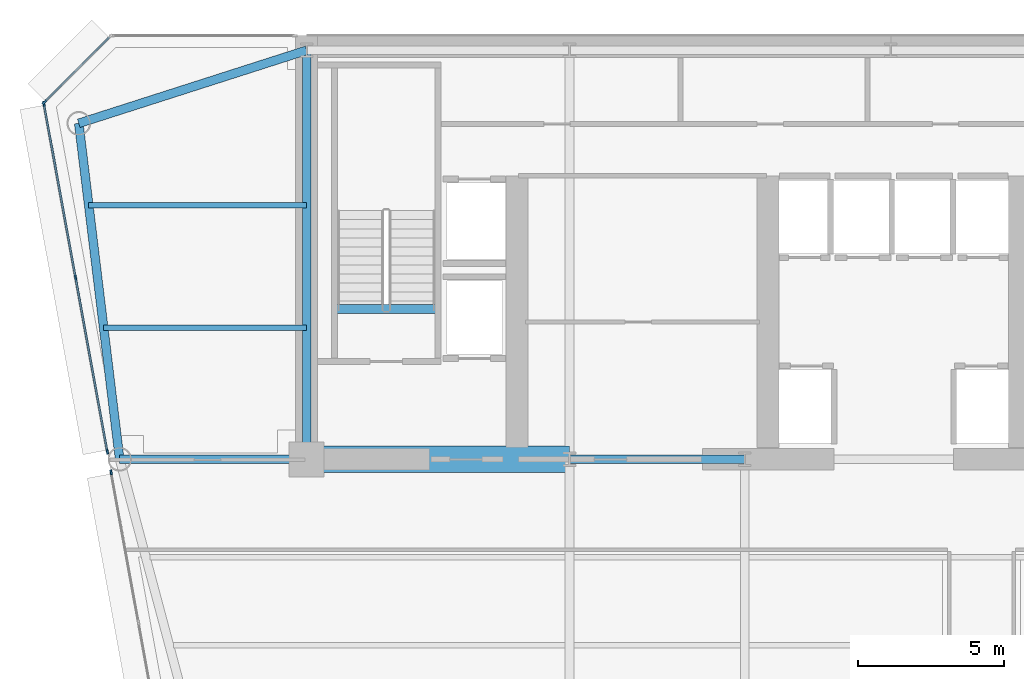
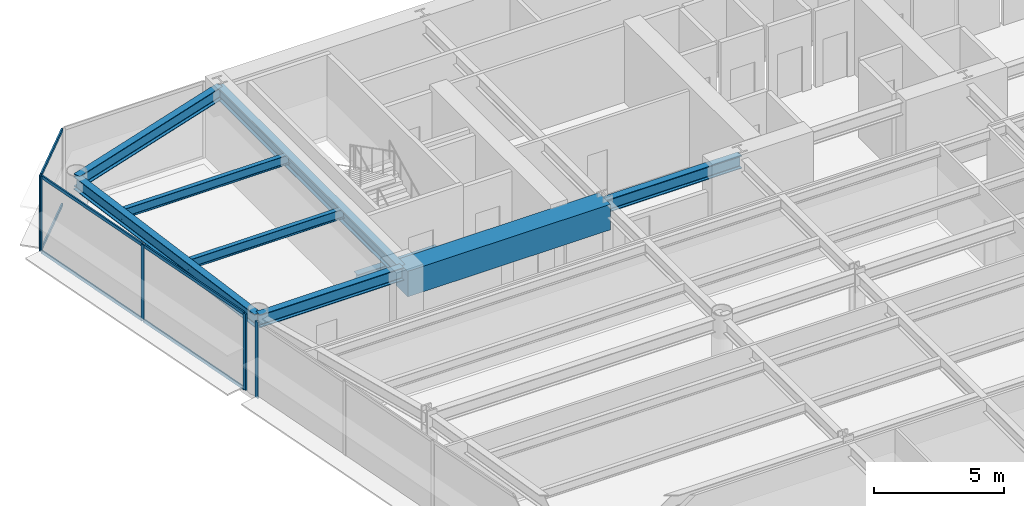
# One storey, part 7 of 17: 11 members, 9 beams, 3 elements without a shape of their own.
"""IFC4 building model written with IfcOpenShell, lengths in metres."""

import ifcopenshell
import ifcopenshell.guid

model = None  # the IFC model being written
_history = None  # IfcOwnerHistory: only IFC2X3 demands one
_inside = {}  # id of a spatial element -> (the spatial element, [elements in it])
_under = {}  # id of a project, library or spatial element -> (it, [spatial elements below it])
_declared = {}  # id of a project -> (the project, [libraries it declares])
_typed = {}  # id of a type object -> (the type object, [elements of that type])
_made_of = {}  # id of a material, layer set ... -> (it, [elements and type objects made of it])


def new_model(schema):
    """Start an empty IFC model of exactly this schema.

    Asked for "IFC4X3", IfcOpenShell would pick the latest addendum, in which some entities
    have other attributes; the version numbers below select the first issue.
    IFC2X3 requires an IfcOwnerHistory on every rooted entity: one is made here for all.
    """
    global model, _history
    if schema == "IFC4X3":
        model = ifcopenshell.file(schema_version=(4, 3, 0, 0))
    else:
        model = ifcopenshell.file(schema=schema)
    _inside.clear()
    _under.clear()
    _declared.clear()
    _typed.clear()
    _made_of.clear()
    _history = None
    if model.schema == "IFC2X3":
        org = make("IfcOrganization", Name="unknown")
        user = make(
            "IfcPersonAndOrganization",
            ThePerson=make("IfcPerson", FamilyName="unknown"),
            TheOrganization=org,
        )
        app = make(
            "IfcApplication",
            ApplicationDeveloper=org,
            Version="unknown",
            ApplicationFullName="unknown",
            ApplicationIdentifier="unknown",
        )
        _history = make(
            "IfcOwnerHistory",
            OwningUser=user,
            OwningApplication=app,
            ChangeAction="ADDED",
            CreationDate=0,
        )
    return model


def make(cls, **values):
    """One entity of the class cls with the attributes given. An attribute that is None is left unset."""
    return model.create_entity(
        cls, **{name: value for name, value in values.items() if value is not None}
    )


def rooted(cls, **values):
    """An entity with a GlobalId (a new one), such as an element, a storey or a relation."""
    return make(cls, GlobalId=ifcopenshell.guid.new(), OwnerHistory=_history, **values)


def si_unit(unit_type, name, prefix=None):
    """IfcSIUnit, for example si_unit("LENGTHUNIT", "METRE", prefix="MILLI")."""
    return make("IfcSIUnit", UnitType=unit_type, Prefix=prefix, Name=name)


def assignment(units):
    """IfcUnitAssignment: the units of a project."""
    return None if units is None else make("IfcUnitAssignment", Units=units)


def point(xyz):
    """IfcCartesianPoint."""
    return None if xyz is None else make("IfcCartesianPoint", Coordinates=xyz)


def direction(xyz):
    """IfcDirection."""
    return None if xyz is None else make("IfcDirection", DirectionRatios=xyz)


def frame(location, z_axis=None, x_axis=None):
    """IfcAxis2Placement3D, a coordinate frame: its origin and axes. An axis left out is left unset."""
    return make(
        "IfcAxis2Placement3D",
        Location=point(location),
        Axis=direction(z_axis),
        RefDirection=direction(x_axis),
    )


def frame_2d(location, x_axis=None):
    """IfcAxis2Placement2D, a coordinate frame in the plane: its origin and x axis."""
    return make(
        "IfcAxis2Placement2D", Location=point(location), RefDirection=direction(x_axis)
    )


def origin():
    """The frame at (0, 0, 0) with its axes left unset."""
    return frame((0.0, 0.0, 0.0))


def origin_2d():
    """The frame at (0, 0) in the plane with its x axis left unset."""
    return frame_2d((0.0, 0.0))


def place(relative_to, where):
    """IfcLocalPlacement: puts the frame where relative to a parent placement (None: the world)."""
    return make(
        "IfcLocalPlacement", PlacementRelTo=relative_to, RelativePlacement=where
    )


def context(
    kind, dimensions, precision=None, world=None, true_north=None, identifier=None
):
    """IfcGeometricRepresentationContext, for example the 3D "Model" context."""
    return make(
        "IfcGeometricRepresentationContext",
        ContextIdentifier=identifier,
        ContextType=kind,
        CoordinateSpaceDimension=dimensions,
        Precision=precision,
        WorldCoordinateSystem=world,
        TrueNorth=true_north,
    )


def subcontext(parent, identifier, kind, view, scale=None):
    """IfcGeometricRepresentationSubContext, for example "Body" below "Model"."""
    return make(
        "IfcGeometricRepresentationSubContext",
        ContextIdentifier=identifier,
        ContextType=kind,
        ParentContext=parent,
        TargetScale=scale,
        TargetView=view,
    )


def project(units=None, contexts=None):
    """IfcProject with its units and contexts."""
    return rooted(
        "IfcProject",
        Name="project",
        RepresentationContexts=contexts,
        UnitsInContext=assignment(units),
    )


def spatial(cls, under=None, at=None, **own):
    """A site, building, storey or space (cls), placed at a placement, below another one or the project."""
    s = rooted(cls, ObjectPlacement=at, **own)
    if under is not None:
        _under.setdefault(under.id(), (under, []))[1].append(s)
    return s


def profile(cls, at=None, kind="AREA", **sizes):
    """A parametric profile (cls). Its sizes go by their IFC names, for example OverallWidth=200.0."""
    return make(cls, ProfileType=kind, Position=at, **sizes)


def rectangle(**sizes):
    """IfcRectangleProfileDef."""
    return profile("IfcRectangleProfileDef", **sizes)


def i_section(**sizes):
    """IfcIShapeProfileDef."""
    return profile("IfcIShapeProfileDef", **sizes)


def extrude(swept, where, along, depth):
    """IfcExtrudedAreaSolid: the profile swept, set in the frame where, extruded along a direction by depth."""
    return make(
        "IfcExtrudedAreaSolid",
        SweptArea=swept,
        Position=where,
        ExtrudedDirection=direction(along),
        Depth=depth,
    )


def shape(context_of_items, identifier, shape_type, items):
    """IfcShapeRepresentation: the items that make up one representation, for example the "Body"."""
    return make(
        "IfcShapeRepresentation",
        ContextOfItems=context_of_items,
        RepresentationIdentifier=identifier,
        RepresentationType=shape_type,
        Items=items,
    )


def source(mapping_origin, context_of_items, identifier, shape_type, items):
    """IfcRepresentationMap: a shape defined once, which mapped items show again and again."""
    return make(
        "IfcRepresentationMap",
        MappingOrigin=mapping_origin,
        MappedRepresentation=shape(context_of_items, identifier, shape_type, items),
    )


def transform(
    local_origin,
    x_axis=None,
    y_axis=None,
    z_axis=None,
    scale=None,
    scale2=None,
    scale3=None,
    uniform=True,
):
    """IfcCartesianTransformationOperator3D, or its non-uniform kind. x_axis, y_axis, z_axis: its Axis1, 2, 3."""
    if uniform:
        return make(
            "IfcCartesianTransformationOperator3D",
            Axis1=direction(x_axis),
            Axis2=direction(y_axis),
            LocalOrigin=point(local_origin),
            Scale=scale,
            Axis3=direction(z_axis),
        )
    return make(
        "IfcCartesianTransformationOperator3DnonUniform",
        Axis1=direction(x_axis),
        Axis2=direction(y_axis),
        LocalOrigin=point(local_origin),
        Scale=scale,
        Axis3=direction(z_axis),
        Scale2=scale2,
        Scale3=scale3,
    )


def mapped(mapping_source, mapping_target):
    """IfcMappedItem: shows the shape of a source again, moved by a transform."""
    return make(
        "IfcMappedItem", MappingSource=mapping_source, MappingTarget=mapping_target
    )


def material(Name=None, Category=None):
    """IfcMaterial."""
    return make("IfcMaterial", Name=Name, Category=Category)


def layer(
    of_material, thickness, ventilated=None, Name=None, Category=None, Priority=None
):
    """IfcMaterialLayer: one layer of a wall or slab, of a material (None: an air gap)."""
    return make(
        "IfcMaterialLayer",
        Material=of_material,
        LayerThickness=thickness,
        IsVentilated=ventilated,
        Name=Name,
        Category=Category,
        Priority=Priority,
    )


def layer_set(layers, Name=None):
    """IfcMaterialLayerSet."""
    return make("IfcMaterialLayerSet", MaterialLayers=layers, LayerSetName=Name)


def material_profile(
    of_material, cross_section, Name=None, Category=None, Priority=None
):
    """IfcMaterialProfile: a cross section and its material."""
    return make(
        "IfcMaterialProfile",
        Name=Name,
        Material=of_material,
        Profile=cross_section,
        Priority=Priority,
        Category=Category,
    )


def profile_set(profiles, Name=None, composite=None):
    """IfcMaterialProfileSet."""
    return make(
        "IfcMaterialProfileSet",
        Name=Name,
        MaterialProfiles=profiles,
        CompositeProfile=composite,
    )


def made_of(thing, what):
    """Note that an element or type object is made of a material, layer set ...; save() writes the relation."""
    if what is not None:
        _made_of.setdefault(what.id(), (what, []))[1].append(thing)
    return thing


def type_object(cls, material=None, **own):
    """A type object (cls), such as IfcWallType, which elements share."""
    return made_of(rooted(cls, **own), material)


def element(
    cls,
    number,
    at=None,
    inside=None,
    cuts=None,
    type_object=None,
    material=None,
    context=None,
    identifier="Body",
    shape_type=None,
    held_by="IfcProductDefinitionShape",
    body=None,
    shapes=None,
    **own,
):
    """One element of the class cls, such as IfcWall. Its Tag is "e" and its number.

    at: its placement. inside: the storey or other place that contains it. cuts: it is an
    opening in that element (IfcRelVoidsElement). A single representation is given by context,
    identifier, shape_type and body (its items); several are given by shapes. held_by: the class
    of the entity that holds the representations. save() writes the other relations.
    """
    e = rooted(cls, Tag="e%d" % number, ObjectPlacement=at, **own)
    if body is not None:
        shapes = [shape(context, identifier, shape_type, body)]
    if shapes is not None:
        e.Representation = make(held_by, Representations=shapes)
    if inside is not None:
        _inside.setdefault(inside.id(), (inside, []))[1].append(e)
    if cuts is not None:
        rooted(
            "IfcRelVoidsElement", RelatingBuildingElement=cuts, RelatedOpeningElement=e
        )
    if type_object is not None:
        _typed.setdefault(type_object.id(), (type_object, []))[1].append(e)
    return made_of(e, material)


def aggregate(whole, parts):
    """IfcRelAggregates: a whole, such as a stair, and the parts it consists of."""
    return rooted("IfcRelAggregates", RelatingObject=whole, RelatedObjects=parts)


def save(model, path):
    """Write the relations noted so far, then the file.

    IfcRelAggregates (storeys below a building ...), IfcRelContainedInSpatialStructure (elements
    in a storey), IfcRelDefinesByType, IfcRelAssociatesMaterial and IfcRelDeclares: one each for
    every whole, place, type object, material and project.
    """
    for whole, parts in _under.values():
        aggregate(whole, parts)
    for where, things in _inside.values():
        rooted(
            "IfcRelContainedInSpatialStructure",
            RelatedElements=things,
            RelatingStructure=where,
        )
    for kind, things in _typed.values():
        rooted("IfcRelDefinesByType", RelatedObjects=things, RelatingType=kind)
    for what, things in _made_of.values():
        rooted("IfcRelAssociatesMaterial", RelatedObjects=things, RelatingMaterial=what)
    for by, libraries in _declared.values():
        rooted("IfcRelDeclares", RelatingContext=by, RelatedDefinitions=libraries)
    model.write(path)


model = new_model("IFC4")

# Units and contexts
model_context = context("Model", 3, precision=1e-05, world=origin(), true_north=direction((0.0, 1.0)))
body_context = subcontext(model_context, "Body", "Model", "MODEL_VIEW")
ifc_project = project(units=[si_unit("LENGTHUNIT", "METRE"), si_unit("AREAUNIT", "SQUARE_METRE"), si_unit("VOLUMEUNIT", "CUBIC_METRE"), si_unit("PLANEANGLEUNIT", "RADIAN"), si_unit("MASSUNIT", "GRAM", prefix="KILO")], contexts=[model_context])

# Site, building, storey
site_placement = place(None, origin())
site = spatial("IfcSite", under=ifc_project, at=site_placement, CompositionType="ELEMENT")
building_placement = place(site_placement, origin())
building = spatial("IfcBuilding", under=site, at=building_placement, Name="Vaeldorn Concourse Tower", CompositionType="ELEMENT")
storey_placement = place(building_placement, frame((0.0, 0.0, 165.199951171875)))
storey = spatial("IfcBuildingStorey", under=building, at=storey_placement, Name="L42", CompositionType="ELEMENT", Elevation=165.199951171875)

# Beams
ifc_material_1 = material(Name="Concrete C60/75", Category="concrete")
ifc_material_profile_1 = material_profile(ifc_material_1, rectangle(XDim=0.89990234375, YDim=1.199951171875, at=origin_2d()), Name="RC 900x1200")
ifc_profile_set_1 = profile_set([ifc_material_profile_1], Name="Concrete C60/75")
beam_type_1 = type_object("IfcBeamType", Name="BM-CB-RC900", PredefinedType="BEAM", material=ifc_profile_set_1)
shared_shape_1 = source(origin(), body_context, "Body", "SweptSolid", [
    extrude(rectangle(XDim=0.89990234375, YDim=1.199951171875, at=origin_2d()), origin(), (0.0, 0.0, 1.0), 9.0),
])
beam_1_placement = place(storey_placement, frame((14.0, 36.5, 2.97998046875), z_axis=(1.0, 0.0, 0.0), x_axis=(0.0, 1.0, 0.0)))
element("IfcBeam", 1, at=beam_1_placement, inside=storey, type_object=beam_type_1, Name="Core Coupling Beam L42-1", PredefinedType="BEAM", context=body_context, shape_type="MappedRepresentation", body=[
    mapped(shared_shape_1, transform((0.0, 0.0, 0.0), scale=1.0)),
])
ifc_material_2 = material(Name="Steel S355", Category="steel")
ifc_material_profile_2 = material_profile(ifc_material_2, i_section(OverallWidth=0.300048828125, OverallDepth=0.340087890625, WebThickness=0.011962890625, FlangeThickness=0.021484375, FilletRadius=0.027099609375, at=origin_2d()), Name="HEB 340")
ifc_profile_set_2 = profile_set([ifc_material_profile_2], Name="Steel S355")
beam_type_2 = type_object("IfcBeamType", Name="BM-ST-TRIM", PredefinedType="BEAM", material=ifc_profile_set_2)
shared_shape_2 = source(origin(), body_context, "Body", "SweptSolid", [
    extrude(i_section(OverallWidth=0.300048828125, OverallDepth=0.340087890625, WebThickness=0.011962890625, FlangeThickness=0.021484375, FilletRadius=0.027099609375, at=origin_2d()), origin(), (0.0, 0.0, 1.0), 3.590087890625),
])
beam_2_placement = place(storey_placement, frame((14.929931640625, 41.639892578125, -0.389892578125), z_axis=(1.0, 0.0, 0.0), x_axis=(0.0, 1.0, 0.0)))
element("IfcBeam", 2, at=beam_2_placement, inside=storey, type_object=beam_type_2, Name="Stair Landing Trimmer Beam ST-1 L42", PredefinedType="BEAM", context=body_context, shape_type="MappedRepresentation", body=[
    mapped(shared_shape_2, transform((0.0, 0.0, 0.0), scale=1.0)),
])
ifc_material_profile_3 = material_profile(ifc_material_2, i_section(OverallWidth=0.18994140625, OverallDepth=0.449951171875, WebThickness=0.009521484375, FlangeThickness=0.0146484375, FilletRadius=0.02099609375, at=origin_2d()), Name="IPE 450")
ifc_profile_set_3 = profile_set([ifc_material_profile_3], Name="Steel S355")
beam_type_3 = type_object("IfcBeamType", Name="BM-JS-IPE450", PredefinedType="JOIST", material=ifc_profile_set_3)
shared_shape_3 = source(origin(), body_context, "Body", "SweptSolid", [
    extrude(i_section(OverallWidth=0.18994140625, OverallDepth=0.449951171875, WebThickness=0.009521484375, FlangeThickness=0.0146484375, FilletRadius=0.02099609375, at=origin_2d()), origin(), (0.0, 0.0, 1.0), 6.94775390625),
])
beam_3_placement = place(storey_placement, frame((7.05224609375, 41.0, 3.35498046875), z_axis=(1.0, 0.0, 0.0), x_axis=(0.0, 1.0, 0.0)))
element("IfcBeam", 3, at=beam_3_placement, inside=storey, type_object=beam_type_3, Name="Beam JS-L42-NW-410", PredefinedType="JOIST", context=body_context, shape_type="MappedRepresentation", body=[
    mapped(shared_shape_3, transform((0.0, 0.0, 0.0), scale=1.0)),
])
shared_shape_4 = source(origin(), body_context, "Body", "SweptSolid", [
    extrude(i_section(OverallWidth=0.18994140625, OverallDepth=0.449951171875, WebThickness=0.009521484375, FlangeThickness=0.0146484375, FilletRadius=0.02099609375, at=origin_2d()), origin(), (0.0, 0.0, 1.0), 7.458984375),
])
beam_4_placement = place(storey_placement, frame((6.541015625, 45.199951171875, 3.35498046875), z_axis=(1.0, 0.0, 0.0), x_axis=(0.0, 1.0, 0.0)))
element("IfcBeam", 4, at=beam_4_placement, inside=storey, type_object=beam_type_3, Name="Beam JS-L42-NW-452", PredefinedType="JOIST", context=body_context, shape_type="MappedRepresentation", body=[
    mapped(shared_shape_4, transform((0.0, 0.0, 0.0), scale=1.0)),
])
ifc_material_profile_4 = material_profile(ifc_material_2, i_section(OverallWidth=0.300048828125, OverallDepth=0.60009765625, WebThickness=0.015380859375, FlangeThickness=0.030029296875, FilletRadius=0.027099609375, at=origin_2d()), Name="HEB 600")
ifc_profile_set_4 = profile_set([ifc_material_profile_4], Name="Steel S355")
beam_type_4 = type_object("IfcBeamType", Name="BM-PG-HEB600", PredefinedType="BEAM", material=ifc_profile_set_4)
shared_shape_5 = source(origin(), body_context, "Body", "SweptSolid", [
    extrude(i_section(OverallWidth=0.300048828125, OverallDepth=0.60009765625, WebThickness=0.015380859375, FlangeThickness=0.030029296875, FilletRadius=0.027099609375, at=origin_2d()), origin(), (0.0, 0.0, 1.0), 6.0),
])
beam_5_placement = place(storey_placement, frame((23.0, 36.5, 3.280029296875), z_axis=(1.0, 0.0, 0.0), x_axis=(0.0, 1.0, 0.0)))
element("IfcBeam", 5, at=beam_5_placement, inside=storey, type_object=beam_type_4, Name="Beam BM-L42-C-FC2-C-FC3", PredefinedType="BEAM", context=body_context, shape_type="MappedRepresentation", body=[
    mapped(shared_shape_5, transform((0.0, 0.0, 0.0), scale=1.0)),
])
shared_shape_6 = source(origin(), body_context, "Body", "SweptSolid", [
    extrude(i_section(OverallWidth=0.300048828125, OverallDepth=0.60009765625, WebThickness=0.015380859375, FlangeThickness=0.030029296875, FilletRadius=0.027099609375, at=origin_2d()), origin(), (0.0, 0.0, 1.0), 14.0),
])
beam_6_placement = place(storey_placement, frame((14.0, 36.5, 3.280029296875), z_axis=(0.0, 1.0, 0.0), x_axis=(-1.0, 0.0, 0.0)))
element("IfcBeam", 6, at=beam_6_placement, inside=storey, type_object=beam_type_4, Name="Beam BM-L42-C-FC1-C-HC1", PredefinedType="BEAM", context=body_context, shape_type="MappedRepresentation", body=[
    mapped(shared_shape_6, transform((0.0, 0.0, 0.0), scale=1.0)),
])
shared_shape_7 = source(origin(), body_context, "Body", "SweptSolid", [
    extrude(i_section(OverallWidth=0.300048828125, OverallDepth=0.60009765625, WebThickness=0.015380859375, FlangeThickness=0.030029296875, FilletRadius=0.027099609375, at=origin_2d()), origin(), (0.0, 0.0, 1.0), 8.19091796875),
])
beam_7_placement = place(storey_placement, frame((6.199951171875, 48.0, 3.280029296875), z_axis=(0.952282843383, 0.305216949396, 0.0), x_axis=(-0.305216949396, 0.952282843383, 0.0)))
element("IfcBeam", 7, at=beam_7_placement, inside=storey, type_object=beam_type_4, Name="Beam BM-L42-C-NW1-C-HC1", PredefinedType="BEAM", context=body_context, shape_type="MappedRepresentation", body=[
    mapped(shared_shape_7, transform((0.0, 0.0, 0.0), scale=1.0)),
])
shared_shape_8 = source(origin(), body_context, "Body", "SweptSolid", [
    extrude(i_section(OverallWidth=0.300048828125, OverallDepth=0.60009765625, WebThickness=0.015380859375, FlangeThickness=0.030029296875, FilletRadius=0.027099609375, at=origin_2d()), origin(), (0.0, 0.0, 1.0), 11.5849609375),
])
beam_8_placement = place(storey_placement, frame((6.199951171875, 48.0, 3.280029296875), z_axis=(0.120859382899, -0.992669637677, 0.0), x_axis=(0.992669637677, 0.120859382899, 0.0)))
element("IfcBeam", 8, at=beam_8_placement, inside=storey, type_object=beam_type_4, Name="Beam BM-L42-C-NW1-C-NW2", PredefinedType="BEAM", context=body_context, shape_type="MappedRepresentation", body=[
    mapped(shared_shape_8, transform((0.0, 0.0, 0.0), scale=1.0)),
])
shared_shape_9 = source(origin(), body_context, "Body", "SweptSolid", [
    extrude(i_section(OverallWidth=0.300048828125, OverallDepth=0.60009765625, WebThickness=0.015380859375, FlangeThickness=0.030029296875, FilletRadius=0.027099609375, at=origin_2d()), origin(), (0.0, 0.0, 1.0), 6.39990234375),
])
beam_9_placement = place(storey_placement, frame((7.60009765625, 36.5, 3.280029296875), z_axis=(1.0, 0.0, 0.0), x_axis=(0.0, 1.0, 0.0)))
element("IfcBeam", 9, at=beam_9_placement, inside=storey, type_object=beam_type_4, Name="Beam BM-L42-C-NW2-C-FC1", PredefinedType="BEAM", context=body_context, shape_type="MappedRepresentation", body=[
    mapped(shared_shape_9, transform((0.0, 0.0, 0.0), scale=1.0)),
])

# Curtain wall, members
ifc_material_3 = material(Name="Anodised Bronze Aluminium", Category="aluminium")
ifc_layer = layer(ifc_material_3, 0.18994140625)
ifc_layer_set = layer_set([ifc_layer], Name="Anodised Bronze Aluminium")
curtain_wall_type = type_object("IfcCurtainWallType", Name="CW-SYS-03", PredefinedType="NOTDEFINED", material=ifc_layer_set)
curtain_wall_1_placement = place(storey_placement, origin())
curtain_wall_1 = element("IfcCurtainWall", 10, at=curtain_wall_1_placement, inside=storey, type_object=curtain_wall_type, Name="Unitised Curtain Wall CW-L42-E10-1", PredefinedType="NOTDEFINED")
ifc_material_profile_5 = material_profile(ifc_material_3, rectangle(XDim=0.06494140625, YDim=0.14990234375, at=origin_2d()), Name="CWT 65x150")
ifc_profile_set_5 = profile_set([ifc_material_profile_5], Name="Anodised Bronze Aluminium")
member_type_1 = type_object("IfcMemberType", Name="CWT-BRONZE-150", PredefinedType="USERDEFINED", material=ifc_profile_set_5)
shared_shape_10 = source(origin(), body_context, "Body", "SweptSolid", [
    extrude(rectangle(XDim=0.06494140625, YDim=0.14990234375, at=origin_2d()), origin(), (0.0, 0.0, 1.0), 3.123046875),
])
member_1_placement = place(storey_placement, frame((7.254150390625, 50.9541015625, 0.032470703125), z_axis=(-0.707106781187, -0.707106781187, 0.0), x_axis=(0.707106781187, -0.707106781187, 0.0)))
member_1 = element("IfcMember", 11, at=member_1_placement, type_object=member_type_1, Name="CW-03 transom 1.1", ObjectType="TRANSOM", PredefinedType="USERDEFINED", context=body_context, shape_type="MappedRepresentation", body=[
    mapped(shared_shape_10, transform((0.0, 0.0, 0.0), scale=1.0)),
])
member_2_placement = place(storey_placement, frame((7.254150390625, 50.9541015625, 3.547607421875), z_axis=(-0.707106781187, -0.707106781187, 0.0), x_axis=(0.707106781187, -0.707106781187, 0.0)))
member_2 = element("IfcMember", 12, at=member_2_placement, type_object=member_type_1, Name="CW-03 transom 1.2", ObjectType="TRANSOM", PredefinedType="USERDEFINED", context=body_context, shape_type="MappedRepresentation", body=[
    mapped(shared_shape_10, transform((0.0, 0.0, 0.0), scale=1.0)),
])

curtain_wall_2_placement = place(storey_placement, origin())
curtain_wall_2 = element("IfcCurtainWall", 13, at=curtain_wall_2_placement, inside=storey, type_object=curtain_wall_type, Name="Unitised Curtain Wall CW-L42-E11-1", PredefinedType="NOTDEFINED")
shared_shape_11 = source(origin(), body_context, "Body", "SweptSolid", [
    extrude(rectangle(XDim=0.06494140625, YDim=0.14990234375, at=origin_2d()), origin(), (0.0, 0.0, 1.0), 5.986572265625),
])
member_3_placement = place(storey_placement, frame((6.09765625, 42.682861328125, 0.032470703125), z_axis=(0.179438079261, -0.98376926955, 0.0), x_axis=(0.98376926955, 0.179438079261, 0.0)))
member_3 = element("IfcMember", 14, at=member_3_placement, type_object=member_type_1, Name="CW-03 transom 2.1", ObjectType="TRANSOM", PredefinedType="USERDEFINED", context=body_context, shape_type="MappedRepresentation", body=[
    mapped(shared_shape_11, transform((0.0, 0.0, 0.0), scale=1.0)),
])
member_4_placement = place(storey_placement, frame((6.09765625, 42.682861328125, 3.547607421875), z_axis=(0.179438079261, -0.98376926955, 0.0), x_axis=(0.98376926955, 0.179438079261, 0.0)))
member_4 = element("IfcMember", 15, at=member_4_placement, type_object=member_type_1, Name="CW-03 transom 2.2", ObjectType="TRANSOM", PredefinedType="USERDEFINED", context=body_context, shape_type="MappedRepresentation", body=[
    mapped(shared_shape_11, transform((0.0, 0.0, 0.0), scale=1.0)),
])
shared_shape_12 = source(origin(), body_context, "Body", "SweptSolid", [
    extrude(rectangle(XDim=0.06494140625, YDim=0.14990234375, at=origin_2d()), origin(), (0.0, 0.0, 1.0), 5.986328125),
])
member_5_placement = place(storey_placement, frame((5.01171875, 48.635986328125, 0.032470703125), z_axis=(0.179445278506, -0.983767956391, 0.0), x_axis=(0.983767956391, 0.179445278506, 0.0)))
member_5 = element("IfcMember", 16, at=member_5_placement, type_object=member_type_1, Name="CW-03 transom 1.1", ObjectType="TRANSOM", PredefinedType="USERDEFINED", context=body_context, shape_type="MappedRepresentation", body=[
    mapped(shared_shape_12, transform((0.0, 0.0, 0.0), scale=1.0)),
])
member_6_placement = place(storey_placement, frame((5.01171875, 48.635986328125, 3.547607421875), z_axis=(0.179445278506, -0.983767956391, 0.0), x_axis=(0.983767956391, 0.179445278506, 0.0)))
member_6 = element("IfcMember", 17, at=member_6_placement, type_object=member_type_1, Name="CW-03 transom 1.2", ObjectType="TRANSOM", PredefinedType="USERDEFINED", context=body_context, shape_type="MappedRepresentation", body=[
    mapped(shared_shape_12, transform((0.0, 0.0, 0.0), scale=1.0)),
])

# Member
ifc_material_profile_6 = material_profile(ifc_material_3, rectangle(XDim=0.06494140625, YDim=0.169921875, at=origin_2d()), Name="CWM 65x170")
ifc_profile_set_6 = profile_set([ifc_material_profile_6], Name="Anodised Bronze Aluminium")
member_type_2 = type_object("IfcMemberType", Name="CWM-BRONZE-170", PredefinedType="MULLION", material=ifc_profile_set_6)
shared_shape_13 = source(origin(), body_context, "Body", "SweptSolid", [
    extrude(rectangle(XDim=0.06494140625, YDim=0.169921875, at=origin_2d()), origin(), (0.0, 0.0, 1.0), 3.580078125),
])
member_7_placement = place(storey_placement, frame((5.02294921875, 48.722900390625, 0.0), z_axis=(0.0, 0.0, 1.0), x_axis=(0.707106781187, -0.707106781187, 0.0)))
member_7 = element("IfcMember", 18, at=member_7_placement, type_object=member_type_2, Name="CW-03 mullion 2", PredefinedType="MULLION", context=body_context, shape_type="MappedRepresentation", body=[
    mapped(shared_shape_13, transform((0.0, 0.0, 0.0), scale=1.0)),
])

aggregate(curtain_wall_1, [member_7, member_1, member_2])

member_8_placement = place(storey_placement, frame((5.005859375, 48.66796875, 0.0), z_axis=(0.0, 0.0, 1.0), x_axis=(0.983767579285, 0.179447345892, 0.0)))
member_8 = element("IfcMember", 19, at=member_8_placement, type_object=member_type_2, Name="CW-03 mullion 1", PredefinedType="MULLION", context=body_context, shape_type="MappedRepresentation", body=[
    mapped(shared_shape_13, transform((0.0, 0.0, 0.0), scale=1.0)),
])

member_9_placement = place(storey_placement, frame((6.091796875, 42.71484375, 0.0), z_axis=(0.0, 0.0, 1.0), x_axis=(0.983767579285, 0.179447345892, 0.0)))
member_9 = element("IfcMember", 20, at=member_9_placement, type_object=member_type_2, Name="CW-03 mullion 2", PredefinedType="MULLION", context=body_context, shape_type="MappedRepresentation", body=[
    mapped(shared_shape_13, transform((0.0, 0.0, 0.0), scale=1.0)),
])

member_10_placement = place(storey_placement, frame((7.177734375, 36.761474609375, 0.0), z_axis=(0.0, 0.0, 1.0), x_axis=(0.983767579285, 0.179447345892, 0.0)))
member_10 = element("IfcMember", 21, at=member_10_placement, type_object=member_type_2, Name="CW-03 mullion 3", PredefinedType="MULLION", context=body_context, shape_type="MappedRepresentation", body=[
    mapped(shared_shape_13, transform((0.0, 0.0, 0.0), scale=1.0)),
])

aggregate(curtain_wall_2, [member_8, member_9, member_10, member_5, member_6, member_3, member_4])

# Curtain wall, member
curtain_wall_3_placement = place(storey_placement, origin())
curtain_wall_3 = element("IfcCurtainWall", 22, at=curtain_wall_3_placement, inside=storey, type_object=curtain_wall_type, Name="Unitised Curtain Wall CW-L42-E11-2", PredefinedType="NOTDEFINED")
member_11_placement = place(storey_placement, frame((7.30712890625, 36.051513671875, 0.0), z_axis=(0.0, 0.0, 1.0), x_axis=(0.983767841325, 0.179445909331, 0.0)))
member_11 = element("IfcMember", 23, at=member_11_placement, type_object=member_type_2, Name="CW-03 mullion 1", PredefinedType="MULLION", context=body_context, shape_type="MappedRepresentation", body=[
    mapped(shared_shape_13, transform((0.0, 0.0, 0.0), scale=1.0)),
])
aggregate(curtain_wall_3, [member_11])

save(model, "model.ifc")
